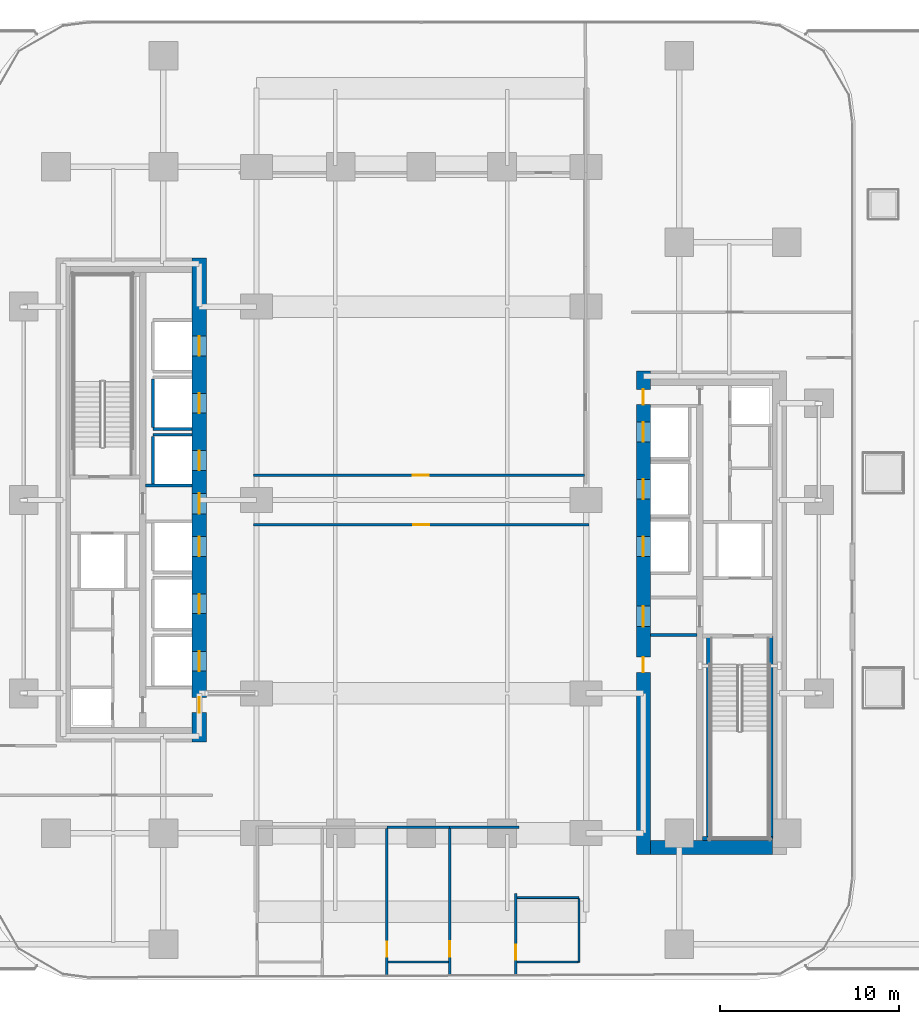
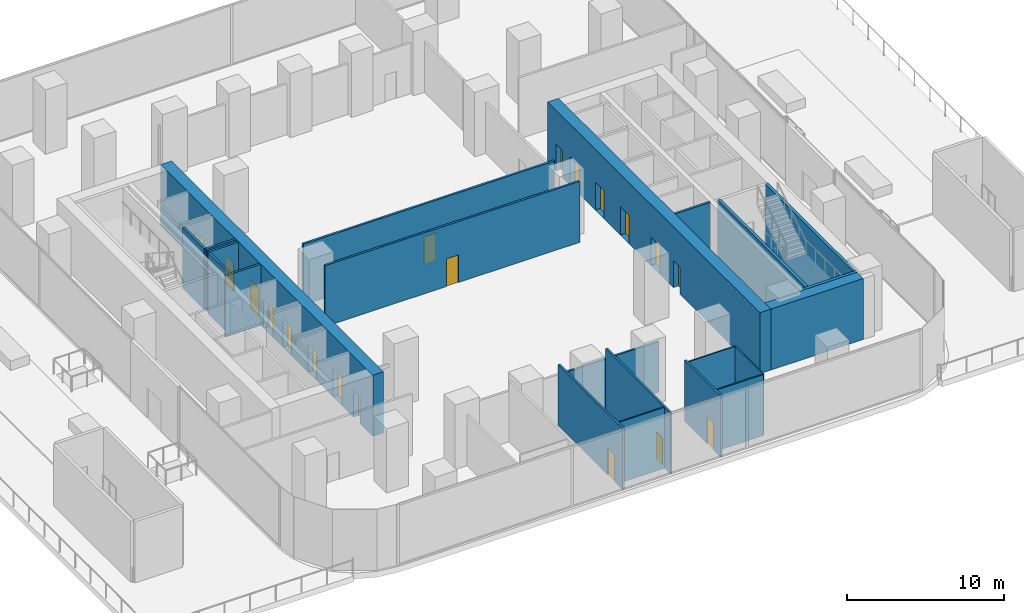
# One storey, part 7 of 21: 23 walls, 19 doors, 19 openings.
"""IFC4 building model written with IfcOpenShell, lengths in metres."""

from ifc_helpers import new_model, si_unit, direction, frame, frame_2d, origin, place, context, subcontext, project, spatial, rectangle, extrude, material, layer, layer_set, type_object, element, fill, save


model = new_model("IFC4")

# Units and contexts
model_context = context("Model", 3, precision=1e-05, world=origin(), true_north=direction((0.0, 1.0)))
body_context = subcontext(model_context, "Body", "Model", "MODEL_VIEW")
ifc_project = project(units=[si_unit("LENGTHUNIT", "METRE"), si_unit("AREAUNIT", "SQUARE_METRE"), si_unit("VOLUMEUNIT", "CUBIC_METRE"), si_unit("PLANEANGLEUNIT", "RADIAN"), si_unit("MASSUNIT", "GRAM", prefix="KILO")], contexts=[model_context])

# Site, building, storey
site_placement = place(None, origin())
site = spatial("IfcSite", under=ifc_project, at=site_placement, CompositionType="ELEMENT")
building_placement = place(site_placement, origin())
building = spatial("IfcBuilding", under=site, at=building_placement, Name="Khairoan Windgate Tower", CompositionType="ELEMENT")
storey_placement = place(building_placement, frame((0.0, 0.0, 21.0)))
storey = spatial("IfcBuildingStorey", under=building, at=storey_placement, Name="L05", CompositionType="ELEMENT", Elevation=21.0)

# Walls
ifc_material_1 = material(Name="Moisture-Resistant Gypsum Partition", Category="gypsum")
ifc_layer_1 = layer(ifc_material_1, 0.10009765625, Name="Moisture-Resistant Gypsum Partition")
ifc_layer_set_1 = layer_set([ifc_layer_1], Name="Moisture-Resistant Gypsum Partition")
wall_type_1 = type_object("IfcWallType", Name="Bathroom Wet-Area Partition Wall", PredefinedType="PARTITIONING", material=ifc_layer_set_1)
wall_1_placement = place(storey_placement, frame((1.510009765625, -25.800048828125, 0.0), z_axis=(0.0, 0.0, 1.0), x_axis=(-1.0, 0.0, 0.0)))
element("IfcWall", 1, at=wall_1_placement, inside=storey, type_object=wall_type_1, Name="L05 Wet Room Side Wall 033", PredefinedType="PARTITIONING", context=body_context, shape_type="SweptSolid", body=[
    extrude(rectangle(XDim=3.360107421875, YDim=0.10009765625, at=frame_2d((1.68017578125, 0.0))), origin(), (0.0, 0.0, 1.0), 4.739990234375),
])
wall_2_placement = place(storey_placement, frame((5.35009765625, -22.199951171875, 0.0), z_axis=(0.0, 0.0, 1.0), x_axis=(1.0, 0.0, 0.0)))
element("IfcWall", 2, at=wall_2_placement, inside=storey, type_object=wall_type_1, Name="L05 Wet Room Side Wall 034", PredefinedType="PARTITIONING", context=body_context, shape_type="SweptSolid", body=[
    extrude(rectangle(XDim=3.449951171875, YDim=0.10009765625, at=frame_2d((1.72509765625, 0.0))), origin(), (0.0, 0.0, 1.0), 4.739990234375),
])
wall_3_placement = place(storey_placement, frame((8.800048828125, -22.25, 0.0), z_axis=(0.0, 0.0, 1.0), x_axis=(0.0, -1.0, 0.0)))
element("IfcWall", 3, at=wall_3_placement, inside=storey, type_object=wall_type_1, Name="L05 Wet Room Side Wall 035", PredefinedType="PARTITIONING", context=body_context, shape_type="SweptSolid", body=[
    extrude(rectangle(XDim=3.550048828125, YDim=0.10009765625, at=frame_2d((1.77490234375, 0.0))), origin(), (0.0, 0.0, 1.0), 4.739990234375),
])
wall_4_placement = place(storey_placement, frame((8.75, -25.800048828125, 0.0), z_axis=(0.0, 0.0, 1.0), x_axis=(-1.0, 0.0, 0.0)))
element("IfcWall", 4, at=wall_4_placement, inside=storey, type_object=wall_type_1, Name="L05 Wet Room Side Wall 036", PredefinedType="PARTITIONING", context=body_context, shape_type="SweptSolid", body=[
    extrude(rectangle(XDim=3.39990234375, YDim=0.10009765625, at=frame_2d((1.699951171875, 0.0))), origin(), (0.0, 0.0, 1.0), 4.739990234375),
])
ifc_material_2 = material(Name="Concrete C40/50", Category="concrete")
ifc_layer_2 = layer(ifc_material_2, 0.159912109375, Name="Concrete C40/50")
ifc_layer_set_2 = layer_set([ifc_layer_2], Name="Concrete C40/50")
wall_type_2 = type_object("IfcWallType", Name="Core and Hoistway Enclosure Wall", PredefinedType="STANDARD", material=ifc_layer_set_2)
wall_5_placement = place(storey_placement, frame((-14.989990234375, 3.9599609375, 0.0), z_axis=(0.0, 0.0, 1.0), x_axis=(1.0, 0.0, 0.0)))
element("IfcWall", 5, at=wall_5_placement, inside=storey, type_object=wall_type_2, Name="L05 Lift PL2 Hoistway Divider S", PredefinedType="STANDARD", context=body_context, shape_type="SweptSolid", body=[
    extrude(rectangle(XDim=2.18994140625, YDim=0.159912109375, at=frame_2d((1.094970703125, 0.0))), origin(), (0.0, 0.0, 1.0), 4.739990234375),
])
wall_6_placement = place(storey_placement, frame((-14.989990234375, 4.050048828125, 0.0), z_axis=(0.0, 0.0, 1.0), x_axis=(0.0, 1.0, 0.0)))
element("IfcWall", 6, at=wall_6_placement, inside=storey, type_object=wall_type_2, Name="L05 Lift PL2 Hoistway Back Wall", PredefinedType="STANDARD", context=body_context, shape_type="SweptSolid", body=[
    extrude(rectangle(XDim=2.699951171875, YDim=0.159912109375, at=frame_2d((1.35009765625, 0.0))), origin(), (0.0, 0.0, 1.0), 4.739990234375),
])
wall_7_placement = place(storey_placement, frame((-14.989990234375, 3.639892578125, 0.0), z_axis=(0.0, 0.0, 1.0), x_axis=(1.0, 0.0, 0.0)))
element("IfcWall", 7, at=wall_7_placement, inside=storey, type_object=wall_type_2, Name="L05 Lift PL3 Hoistway Divider N", PredefinedType="STANDARD", context=body_context, shape_type="SweptSolid", body=[
    extrude(rectangle(XDim=2.18994140625, YDim=0.159912109375, at=frame_2d((1.094970703125, 0.0))), origin(), (0.0, 0.0, 1.0), 4.739990234375),
])
wall_8_placement = place(storey_placement, frame((-14.989990234375, 0.85009765625, 0.0), z_axis=(0.0, 0.0, 1.0), x_axis=(0.0, 1.0, 0.0)))
element("IfcWall", 8, at=wall_8_placement, inside=storey, type_object=wall_type_2, Name="L05 Lift PL3 Hoistway Back Wall", PredefinedType="STANDARD", context=body_context, shape_type="SweptSolid", body=[
    extrude(rectangle(XDim=2.699951171875, YDim=0.159912109375, at=frame_2d((1.35009765625, 0.0))), origin(), (0.0, 0.0, 1.0), 4.739990234375),
])
for number, where, z_axis, x_axis, name in (
    (9, (-15.39990234375, 0.800048828125, 0.0), (0.0, 0.0, 1.0), (1.0, 0.0, 0.0), "L05 Core Shaft Wall SW-WV1-L05"),
    (10, (12.800048828125, -7.5400390625, 0.0), (0.0, 0.0, 1.0), (1.0, 0.0, 0.0), "L05 Core Shaft Wall SW-EV2-L05"),
):
    element("IfcWall", number, at=place(storey_placement, frame(where, z_axis=z_axis, x_axis=x_axis)), inside=storey, type_object=wall_type_2, Name=name, PredefinedType="STANDARD", context=body_context, shape_type="SweptSolid", body=[
        extrude(rectangle(XDim=2.599853515625, YDim=0.159912109375, at=frame_2d((1.2998046875, 0.0))), origin(), (0.0, 0.0, 1.0), 4.739990234375),
    ])
ifc_material_3 = material(Name="Acoustic Fire-Rated Gypsum Partition", Category="gypsum")
ifc_layer_3 = layer(ifc_material_3, 0.139892578125, Name="Acoustic Fire-Rated Gypsum Partition")
ifc_layer_set_3 = layer_set([ifc_layer_3], Name="Acoustic Fire-Rated Gypsum Partition")
wall_type_3 = type_object("IfcWallType", Name="Inter-Tenancy Compartment Wall", PredefinedType="PARTITIONING", material=ifc_layer_set_3)
wall_9_placement = place(storey_placement, frame((-1.919921875, -18.280029296875, 0.0), z_axis=(0.0, 0.0, 1.0), x_axis=(1.0, 0.0, 0.0)))
element("IfcWall", 11, at=wall_9_placement, inside=storey, type_object=wall_type_3, Name="L05 Interior Partition 024", PredefinedType="PARTITIONING", context=body_context, shape_type="SweptSolid", body=[
    extrude(rectangle(XDim=3.5, YDim=0.139892578125, at=frame_2d((1.75, 0.0))), origin(), (0.0, 0.0, 1.0), 3.93994140625),
])
wall_10_placement = place(storey_placement, frame((1.580078125, -18.280029296875, 0.0), z_axis=(0.0, 0.0, 1.0), x_axis=(1.0, 0.0, 0.0)))
element("IfcWall", 12, at=wall_10_placement, inside=storey, type_object=wall_type_3, Name="L05 Interior Partition 025", PredefinedType="PARTITIONING", context=body_context, shape_type="SweptSolid", body=[
    extrude(rectangle(XDim=3.85986328125, YDim=0.139892578125, at=frame_2d((1.929931640625, 0.0))), origin(), (0.0, 0.0, 1.0), 3.93994140625),
])

# Wall, opening, door
wall_11_placement = place(storey_placement, frame((-1.919921875, -26.57421875, 0.0), z_axis=(0.0, 0.0, 1.0), x_axis=(0.0, 1.0, 0.0)))
wall_11 = element("IfcWall", 13, at=wall_11_placement, inside=storey, type_object=wall_type_3, Name="L05 Interior Partition 027", PredefinedType="PARTITIONING", context=body_context, shape_type="SweptSolid", body=[
    extrude(rectangle(XDim=8.22412109375, YDim=0.139892578125, at=frame_2d((4.112060546875, 0.0))), origin(), (0.0, 0.0, 1.0), 4.739990234375),
])
opening_1_placement = place(wall_11_placement, frame((1.065185546875, 0.0, 0.0)))
opening_1 = element("IfcOpeningElement", 14, at=opening_1_placement, cuts=wall_11, Name="Opening FD-SRV", PredefinedType="OPENING", context=body_context, shape_type="SweptSolid", body=[
    extrude(rectangle(XDim=0.85009765625, YDim=2.10009765625, at=frame_2d((0.425048828125, 1.050048828125))), frame((0.0, 0.079833984375, 0.0), z_axis=(0.0, -1.0, 0.0), x_axis=(1.0, 0.0, 0.0)), (0.0, 0.0, 1.0), 0.159912109375),
])
ifc_material_4 = material(Name="Steel S355", Category="steel")
door_type_1 = type_object("IfcDoorType", Name="Core Service and Riser Fire Door FD-SRV 850x2100", OperationType="NOTDEFINED", PredefinedType="DOOR", material=ifc_material_4)
door_1_placement = place(opening_1_placement, origin())
door_1 = element("IfcDoor", 15, at=door_1_placement, inside=storey, type_object=door_type_1, Name="L05 L05-42-L05-43 Door", OperationType="SINGLE_SWING_LEFT", OverallHeight=2.10009765625, OverallWidth=0.85009765625, PredefinedType="DOOR", context=body_context, shape_type="SweptSolid", body=[
    extrude(rectangle(XDim=0.85009765625, YDim=2.10009765625, at=frame_2d((0.425048828125, 1.050048828125))), frame((0.0, 0.02490234375, 0.0), z_axis=(0.0, -1.0, 0.0), x_axis=(1.0, 0.0, 0.0)), (0.0, 0.0, 1.0), 0.050048828125),
])
fill(opening_1, door_1)

wall_12_placement = place(storey_placement, frame((1.580078125, -26.55712890625, 0.0), z_axis=(0.0, 0.0, 1.0), x_axis=(0.0, 1.0, 0.0)))
wall_12 = element("IfcWall", 16, at=wall_12_placement, inside=storey, type_object=wall_type_3, Name="L05 Interior Partition 028", PredefinedType="PARTITIONING", context=body_context, shape_type="SweptSolid", body=[
    extrude(rectangle(XDim=8.20703125, YDim=0.139892578125, at=frame_2d((4.103515625, 0.0))), origin(), (0.0, 0.0, 1.0), 4.739990234375),
])
opening_2_placement = place(wall_12_placement, frame((1.0634765625, 0.0, 0.0)))
opening_2 = element("IfcOpeningElement", 17, at=opening_2_placement, cuts=wall_12, Name="Opening FD-SRV", PredefinedType="OPENING", context=body_context, shape_type="SweptSolid", body=[
    extrude(rectangle(XDim=0.85009765625, YDim=2.10009765625, at=frame_2d((0.425048828125, 1.050048828125))), frame((0.0, 0.079833984375, 0.0), z_axis=(0.0, -1.0, 0.0), x_axis=(1.0, 0.0, 0.0)), (0.0, 0.0, 1.0), 0.159912109375),
])
door_2_placement = place(opening_2_placement, origin())
door_2 = element("IfcDoor", 18, at=door_2_placement, inside=storey, type_object=door_type_1, Name="L05 L05-43-L05-44 Door", OperationType="SINGLE_SWING_RIGHT", OverallHeight=2.10009765625, OverallWidth=0.85009765625, PredefinedType="DOOR", context=body_context, shape_type="SweptSolid", body=[
    extrude(rectangle(XDim=0.85009765625, YDim=2.10009765625, at=frame_2d((0.425048828125, 1.050048828125))), frame((0.0, 0.02490234375, 0.0), z_axis=(0.0, -1.0, 0.0), x_axis=(1.0, 0.0, 0.0)), (0.0, 0.0, 1.0), 0.050048828125),
])
fill(opening_2, door_2)

wall_13_placement = place(storey_placement, frame((5.280029296875, -26.539306640625, 0.0), z_axis=(0.0, 0.0, 1.0), x_axis=(0.0, 1.0, 0.0)))
wall_13 = element("IfcWall", 19, at=wall_13_placement, inside=storey, type_object=wall_type_3, Name="L05 Interior Partition 029", PredefinedType="PARTITIONING", context=body_context, shape_type="SweptSolid", body=[
    extrude(rectangle(XDim=4.579345703125, YDim=0.139892578125, at=frame_2d((2.28955078125, 0.0))), origin(), (0.0, 0.0, 1.0), 4.739990234375),
])
opening_3_placement = place(wall_13_placement, frame((0.861328125, 0.0, 0.0)))
opening_3 = element("IfcOpeningElement", 20, at=opening_3_placement, cuts=wall_13, Name="Opening FD-SRV", PredefinedType="OPENING", context=body_context, shape_type="SweptSolid", body=[
    extrude(rectangle(XDim=0.85009765625, YDim=2.10009765625, at=frame_2d((0.425048828125, 1.050048828125))), frame((0.0, 0.079833984375, 0.0), z_axis=(0.0, -1.0, 0.0), x_axis=(1.0, 0.0, 0.0)), (0.0, 0.0, 1.0), 0.159912109375),
])
door_3_placement = place(opening_3_placement, origin())
door_3 = element("IfcDoor", 21, at=door_3_placement, inside=storey, type_object=door_type_1, Name="L05 L05-44-L05-45 Door", OperationType="SINGLE_SWING_LEFT", OverallHeight=2.10009765625, OverallWidth=0.85009765625, PredefinedType="DOOR", context=body_context, shape_type="SweptSolid", body=[
    extrude(rectangle(XDim=0.85009765625, YDim=2.10009765625, at=frame_2d((0.425048828125, 1.050048828125))), frame((0.0, 0.02490234375, 0.0), z_axis=(0.0, -1.0, 0.0), x_axis=(1.0, 0.0, 0.0)), (0.0, 0.0, 1.0), 0.050048828125),
])
fill(opening_3, door_3)

ifc_material_5 = material(Name="Acoustic Fire-Rated Gypsum Partition", Category="gypsum")
ifc_layer_4 = layer(ifc_material_5, 0.14990234375, Name="Acoustic Fire-Rated Gypsum Partition")
ifc_layer_set_4 = layer_set([ifc_layer_4], Name="Acoustic Fire-Rated Gypsum Partition")
wall_type_4 = type_object("IfcWallType", Name="Rated Corridor Partition Wall", PredefinedType="PARTITIONING", material=ifc_layer_set_4)
wall_14_placement = place(storey_placement, frame((-9.360107421875, 1.3798828125, 0.0), z_axis=(0.0, 0.0, 1.0), x_axis=(1.0, 0.0, 0.0)))
wall_14 = element("IfcWall", 22, at=wall_14_placement, inside=storey, type_object=wall_type_4, Name="L05 Interior Partition 012", PredefinedType="PARTITIONING", context=body_context, shape_type="SweptSolid", body=[
    extrude(rectangle(XDim=18.470947265625, YDim=0.14990234375, at=frame_2d((9.2353515625, 0.0))), origin(), (0.0, 0.0, 1.0), 4.739990234375),
])
opening_4_placement = place(wall_14_placement, frame((8.8857421875, 0.0, 0.0)))
opening_4 = element("IfcOpeningElement", 23, at=opening_4_placement, cuts=wall_14, Name="Opening FD-ENT", PredefinedType="OPENING", context=body_context, shape_type="SweptSolid", body=[
    extrude(rectangle(XDim=0.89990234375, YDim=2.14990234375, at=frame_2d((0.449951171875, 1.074951171875))), frame((0.0, 0.0849609375, 0.0), z_axis=(0.0, -1.0, 0.0), x_axis=(1.0, 0.0, 0.0)), (0.0, 0.0, 1.0), 0.169921875),
])
ifc_material_6 = material(Name="Timber Fire-Rated Core", Category="wood")
door_type_2 = type_object("IfcDoorType", Name="Unit and Office Fire Entrance Door FD-ENT 900x2150", OperationType="NOTDEFINED", PredefinedType="DOOR", material=ifc_material_6)
door_4_placement = place(opening_4_placement, origin())
door_4 = element("IfcDoor", 24, at=door_4_placement, inside=storey, type_object=door_type_2, Name="L05 L05-31-L05-38 Door", OperationType="SINGLE_SWING_RIGHT", OverallHeight=2.14990234375, OverallWidth=0.89990234375, PredefinedType="DOOR", context=body_context, shape_type="SweptSolid", body=[
    extrude(rectangle(XDim=0.89990234375, YDim=2.14990234375, at=frame_2d((0.449951171875, 1.074951171875))), frame((0.0, 0.02490234375, 0.0), z_axis=(0.0, -1.0, 0.0), x_axis=(1.0, 0.0, 0.0)), (0.0, 0.0, 1.0), 0.050048828125),
])
fill(opening_4, door_4)

wall_15_placement = place(storey_placement, frame((-9.360107421875, -1.3798828125, 0.0), z_axis=(0.0, 0.0, 1.0), x_axis=(1.0, 0.0, 0.0)))
wall_15 = element("IfcWall", 25, at=wall_15_placement, inside=storey, type_object=wall_type_4, Name="L05 Interior Partition 013", PredefinedType="PARTITIONING", context=body_context, shape_type="SweptSolid", body=[
    extrude(rectangle(XDim=18.72021484375, YDim=0.14990234375, at=frame_2d((9.360107421875, 0.0))), origin(), (0.0, 0.0, 1.0), 4.739990234375),
])
opening_5_placement = place(wall_15_placement, frame((8.909912109375, 0.0, 0.0)))
opening_5 = element("IfcOpeningElement", 26, at=opening_5_placement, cuts=wall_15, Name="Opening FD-ENT", PredefinedType="OPENING", context=body_context, shape_type="SweptSolid", body=[
    extrude(rectangle(XDim=0.89990234375, YDim=2.14990234375, at=frame_2d((0.449951171875, 1.074951171875))), frame((0.0, 0.0849609375, 0.0), z_axis=(0.0, -1.0, 0.0), x_axis=(1.0, 0.0, 0.0)), (0.0, 0.0, 1.0), 0.169921875),
])
door_5_placement = place(opening_5_placement, origin())
door_5 = element("IfcDoor", 27, at=door_5_placement, inside=storey, type_object=door_type_2, Name="L05 L05-31-L05-40 Door", OperationType="SINGLE_SWING_LEFT", OverallHeight=2.14990234375, OverallWidth=0.89990234375, PredefinedType="DOOR", context=body_context, shape_type="SweptSolid", body=[
    extrude(rectangle(XDim=0.89990234375, YDim=2.14990234375, at=frame_2d((0.449951171875, 1.074951171875))), frame((0.0, 0.02490234375, 0.0), z_axis=(0.0, -1.0, 0.0), x_axis=(1.0, 0.0, 0.0)), (0.0, 0.0, 1.0), 0.050048828125),
])
fill(opening_5, door_5)

# Wall, openings, doors
ifc_material_7 = material(Name="Concrete C70/85", Category="concrete")
ifc_layer_5 = layer(ifc_material_7, 0.800048828125, Name="Concrete C70/85")
ifc_layer_set_5 = layer_set([ifc_layer_5], Name="Concrete C70/85")
wall_type_5 = type_object("IfcWallType", Name="Shear Wall CW-E1 800mm", PredefinedType="SHEAR", material=ifc_layer_set_5)
wall_16_placement = place(storey_placement, frame((12.39990234375, -19.800048828125, 0.0), z_axis=(0.0, 0.0, 1.0), x_axis=(0.0, 1.0, 0.0)))
wall_16 = element("IfcWall", 28, at=wall_16_placement, inside=storey, type_object=wall_type_5, Name="E Core West Shear Wall L05", PredefinedType="SHEAR", context=body_context, shape_type="SweptSolid", body=[
    extrude(rectangle(XDim=27.0, YDim=0.800048828125, at=frame_2d((13.5, 0.0))), origin(), (0.0, 0.0, 1.0), 4.739990234375),
])
opening_6_placement = place(wall_16_placement, frame((23.050048828125, 0.0, 0.0)))
opening_6 = element("IfcOpeningElement", 29, at=opening_6_placement, cuts=wall_16, Name="Opening LD-PL", PredefinedType="OPENING", context=body_context, shape_type="SweptSolid", body=[
    extrude(rectangle(XDim=1.10009765625, YDim=2.199951171875, at=frame_2d((0.550048828125, 1.10009765625))), frame((0.0, 0.409912109375, 0.0), z_axis=(0.0, -1.0, 0.0), x_axis=(1.0, 0.0, 0.0)), (0.0, 0.0, 1.0), 0.820068359375),
])
opening_7_placement = place(wall_16_placement, frame((19.85009765625, 0.0, 0.0)))
opening_7 = element("IfcOpeningElement", 30, at=opening_7_placement, cuts=wall_16, Name="Opening LD-PL", PredefinedType="OPENING", context=body_context, shape_type="SweptSolid", body=[
    extrude(rectangle(XDim=1.10009765625, YDim=2.199951171875, at=frame_2d((0.550048828125, 1.10009765625))), frame((0.0, 0.409912109375, 0.0), z_axis=(0.0, -1.0, 0.0), x_axis=(1.0, 0.0, 0.0)), (0.0, 0.0, 1.0), 0.820068359375),
])
opening_8_placement = place(wall_16_placement, frame((16.64990234375, 0.0, 0.0)))
opening_8 = element("IfcOpeningElement", 31, at=opening_8_placement, cuts=wall_16, Name="Opening LD-PL", PredefinedType="OPENING", context=body_context, shape_type="SweptSolid", body=[
    extrude(rectangle(XDim=1.10009765625, YDim=2.199951171875, at=frame_2d((0.550048828125, 1.10009765625))), frame((0.0, 0.409912109375, 0.0), z_axis=(0.0, -1.0, 0.0), x_axis=(1.0, 0.0, 0.0)), (0.0, 0.0, 1.0), 0.820068359375),
])
opening_9_placement = place(wall_16_placement, frame((10.175048828125, 0.0, 0.0)))
opening_9 = element("IfcOpeningElement", 32, at=opening_9_placement, cuts=wall_16, Name="Opening FD-SRV", PredefinedType="OPENING", context=body_context, shape_type="SweptSolid", body=[
    extrude(rectangle(XDim=0.85009765625, YDim=2.10009765625, at=frame_2d((0.425048828125, 1.050048828125))), frame((0.0, 0.409912109375, 0.0), z_axis=(0.0, -1.0, 0.0), x_axis=(1.0, 0.0, 0.0)), (0.0, 0.0, 1.0), 0.820068359375),
])
opening_10_placement = place(wall_16_placement, frame((12.72509765625, 0.0, 0.0)))
opening_10 = element("IfcOpeningElement", 33, at=opening_10_placement, cuts=wall_16, Name="Opening FD-FFL", PredefinedType="OPENING", context=body_context, shape_type="SweptSolid", body=[
    extrude(rectangle(XDim=1.14990234375, YDim=2.199951171875, at=frame_2d((0.574951171875, 1.10009765625))), frame((0.0, 0.409912109375, 0.0), z_axis=(0.0, -1.0, 0.0), x_axis=(1.0, 0.0, 0.0)), (0.0, 0.0, 1.0), 0.820068359375),
])
opening_11_placement = place(wall_16_placement, frame((25.125, 0.0, 0.0)))
opening_11 = element("IfcOpeningElement", 34, at=opening_11_placement, cuts=wall_16, Name="Opening FD-SRV", PredefinedType="OPENING", context=body_context, shape_type="SweptSolid", body=[
    extrude(rectangle(XDim=0.85009765625, YDim=2.10009765625, at=frame_2d((0.425048828125, 1.050048828125))), frame((0.0, 0.409912109375, 0.0), z_axis=(0.0, -1.0, 0.0), x_axis=(1.0, 0.0, 0.0)), (0.0, 0.0, 1.0), 0.820068359375),
])
door_6_placement = place(opening_9_placement, origin())
door_6 = element("IfcDoor", 35, at=door_6_placement, inside=storey, type_object=door_type_1, Name="L05 East Core Service Room Door 1", OperationType="SINGLE_SWING_RIGHT", OverallHeight=2.10009765625, OverallWidth=0.85009765625, PredefinedType="DOOR", context=body_context, shape_type="SweptSolid", body=[
    extrude(rectangle(XDim=0.85009765625, YDim=2.10009765625, at=frame_2d((0.425048828125, 1.050048828125))), frame((0.0, 0.02490234375, 0.0), z_axis=(0.0, -1.0, 0.0), x_axis=(1.0, 0.0, 0.0)), (0.0, 0.0, 1.0), 0.050048828125),
])
fill(opening_9, door_6)
door_7_placement = place(opening_11_placement, origin())
door_7 = element("IfcDoor", 36, at=door_7_placement, inside=storey, type_object=door_type_1, Name="L05 East Core Service Vestibule Outer Door", OperationType="SINGLE_SWING_LEFT", OverallHeight=2.10009765625, OverallWidth=0.85009765625, PredefinedType="DOOR", context=body_context, shape_type="SweptSolid", body=[
    extrude(rectangle(XDim=0.85009765625, YDim=2.10009765625, at=frame_2d((0.425048828125, 1.050048828125))), frame((0.0, 0.02490234375, 0.0), z_axis=(0.0, -1.0, 0.0), x_axis=(1.0, 0.0, 0.0)), (0.0, 0.0, 1.0), 0.050048828125),
])
fill(opening_11, door_7)
ifc_material_8 = material(Name="Steel S355", Category="steel")
door_type_3 = type_object("IfcDoorType", Name="Firefighting Lobby Fire Door FD-FFL 1150x2200", OperationType="NOTDEFINED", PredefinedType="DOOR", material=ifc_material_8)
door_8_placement = place(opening_10_placement, origin())
door_8 = element("IfcDoor", 37, at=door_8_placement, inside=storey, type_object=door_type_3, Name="L05 East Core Vestibule Entry Door", OperationType="SINGLE_SWING_LEFT", OverallHeight=2.199951171875, OverallWidth=1.14990234375, PredefinedType="DOOR", context=body_context, shape_type="SweptSolid", body=[
    extrude(rectangle(XDim=1.14990234375, YDim=2.199951171875, at=frame_2d((0.574951171875, 1.10009765625))), frame((0.0, 0.02490234375, 0.0), z_axis=(0.0, -1.0, 0.0), x_axis=(1.0, 0.0, 0.0)), (0.0, 0.0, 1.0), 0.050048828125),
])
fill(opening_10, door_8)
ifc_material_9 = material(Name="Anodised Bronze Aluminium 6063-T6", Category="aluminium")
door_type_4 = type_object("IfcDoorType", Name="Passenger Lift Sliding Landing Door LD-PL 1100x2200", OperationType="DOUBLE_DOOR_SLIDING", PredefinedType="DOOR", material=ifc_material_9)
door_9_placement = place(opening_6_placement, origin())
door_9 = element("IfcDoor", 38, at=door_9_placement, inside=storey, type_object=door_type_4, Name="L05 Lift PL7 Sliding Landing Door", OperationType="DOUBLE_DOOR_SLIDING", OverallHeight=2.199951171875, OverallWidth=1.10009765625, PredefinedType="DOOR", context=body_context, shape_type="SweptSolid", body=[
    extrude(rectangle(XDim=1.10009765625, YDim=2.199951171875, at=frame_2d((0.550048828125, 1.10009765625))), frame((0.0, 0.02490234375, 0.0), z_axis=(0.0, -1.0, 0.0), x_axis=(1.0, 0.0, 0.0)), (0.0, 0.0, 1.0), 0.050048828125),
])
fill(opening_6, door_9)
door_10_placement = place(opening_7_placement, origin())
door_10 = element("IfcDoor", 39, at=door_10_placement, inside=storey, type_object=door_type_4, Name="L05 Lift PL8 Sliding Landing Door", OperationType="DOUBLE_DOOR_SLIDING", OverallHeight=2.199951171875, OverallWidth=1.10009765625, PredefinedType="DOOR", context=body_context, shape_type="SweptSolid", body=[
    extrude(rectangle(XDim=1.10009765625, YDim=2.199951171875, at=frame_2d((0.550048828125, 1.10009765625))), frame((0.0, 0.02490234375, 0.0), z_axis=(0.0, -1.0, 0.0), x_axis=(1.0, 0.0, 0.0)), (0.0, 0.0, 1.0), 0.050048828125),
])
fill(opening_7, door_10)
door_11_placement = place(opening_8_placement, origin())
door_11 = element("IfcDoor", 40, at=door_11_placement, inside=storey, type_object=door_type_4, Name="L05 Lift PL9 Sliding Landing Door", OperationType="DOUBLE_DOOR_SLIDING", OverallHeight=2.199951171875, OverallWidth=1.10009765625, PredefinedType="DOOR", context=body_context, shape_type="SweptSolid", body=[
    extrude(rectangle(XDim=1.10009765625, YDim=2.199951171875, at=frame_2d((0.550048828125, 1.10009765625))), frame((0.0, 0.02490234375, 0.0), z_axis=(0.0, -1.0, 0.0), x_axis=(1.0, 0.0, 0.0)), (0.0, 0.0, 1.0), 0.050048828125),
])
fill(opening_8, door_11)

# Wall
wall_17_placement = place(storey_placement, frame((12.800048828125, -19.39990234375, 0.0), z_axis=(0.0, 0.0, 1.0), x_axis=(1.0, 0.0, 0.0)))
element("IfcWall", 41, at=wall_17_placement, inside=storey, type_object=wall_type_5, Name="E Core South Shear Wall L05", PredefinedType="SHEAR", context=body_context, shape_type="SweptSolid", body=[
    extrude(rectangle(XDim=6.800048828125, YDim=0.800048828125, at=frame_2d((3.39990234375, 0.0))), origin(), (0.0, 0.0, 1.0), 4.739990234375),
])

# Wall, openings, doors
ifc_material_10 = material(Name="Concrete C70/85", Category="concrete")
ifc_layer_6 = layer(ifc_material_10, 0.800048828125, Name="Concrete C70/85")
ifc_layer_set_6 = layer_set([ifc_layer_6], Name="Concrete C70/85")
wall_type_6 = type_object("IfcWallType", Name="Shear Wall CW-W1 800mm", PredefinedType="SHEAR", material=ifc_layer_set_6)
wall_18_placement = place(storey_placement, frame((-12.39990234375, -13.5, 0.0), z_axis=(0.0, 0.0, 1.0), x_axis=(0.0, 1.0, 0.0)))
wall_18 = element("IfcWall", 42, at=wall_18_placement, inside=storey, type_object=wall_type_6, Name="W Core East Shear Wall L05", PredefinedType="SHEAR", context=body_context, shape_type="SweptSolid", body=[
    extrude(rectangle(XDim=27.0, YDim=0.800048828125, at=frame_2d((13.5, 0.0))), origin(), (0.0, 0.0, 1.0), 4.739990234375),
])
opening_12_placement = place(wall_18_placement, frame((21.550048828125, 0.0, 0.0)))
opening_12 = element("IfcOpeningElement", 43, at=opening_12_placement, cuts=wall_18, Name="Opening LD-PL", PredefinedType="OPENING", context=body_context, shape_type="SweptSolid", body=[
    extrude(rectangle(XDim=1.10009765625, YDim=2.199951171875, at=frame_2d((0.550048828125, 1.10009765625))), frame((0.0, 0.409912109375, 0.0), z_axis=(0.0, -1.0, 0.0), x_axis=(1.0, 0.0, 0.0)), (0.0, 0.0, 1.0), 0.820068359375),
])
opening_13_placement = place(wall_18_placement, frame((18.35009765625, 0.0, 0.0)))
opening_13 = element("IfcOpeningElement", 44, at=opening_13_placement, cuts=wall_18, Name="Opening LD-PL", PredefinedType="OPENING", context=body_context, shape_type="SweptSolid", body=[
    extrude(rectangle(XDim=1.10009765625, YDim=2.199951171875, at=frame_2d((0.550048828125, 1.10009765625))), frame((0.0, 0.409912109375, 0.0), z_axis=(0.0, -1.0, 0.0), x_axis=(1.0, 0.0, 0.0)), (0.0, 0.0, 1.0), 0.820068359375),
])
opening_14_placement = place(wall_18_placement, frame((15.14990234375, 0.0, 0.0)))
opening_14 = element("IfcOpeningElement", 45, at=opening_14_placement, cuts=wall_18, Name="Opening LD-PL", PredefinedType="OPENING", context=body_context, shape_type="SweptSolid", body=[
    extrude(rectangle(XDim=1.10009765625, YDim=2.199951171875, at=frame_2d((0.550048828125, 1.10009765625))), frame((0.0, 0.409912109375, 0.0), z_axis=(0.0, -1.0, 0.0), x_axis=(1.0, 0.0, 0.0)), (0.0, 0.0, 1.0), 0.820068359375),
])
opening_15_placement = place(wall_18_placement, frame((10.35009765625, 0.0, 0.0)))
opening_15 = element("IfcOpeningElement", 46, at=opening_15_placement, cuts=wall_18, Name="Opening LD-PL", PredefinedType="OPENING", context=body_context, shape_type="SweptSolid", body=[
    extrude(rectangle(XDim=1.10009765625, YDim=2.199951171875, at=frame_2d((0.550048828125, 1.10009765625))), frame((0.0, 0.409912109375, 0.0), z_axis=(0.0, -1.0, 0.0), x_axis=(1.0, 0.0, 0.0)), (0.0, 0.0, 1.0), 0.820068359375),
])
opening_16_placement = place(wall_18_placement, frame((7.14990234375, 0.0, 0.0)))
opening_16 = element("IfcOpeningElement", 47, at=opening_16_placement, cuts=wall_18, Name="Opening LD-PL", PredefinedType="OPENING", context=body_context, shape_type="SweptSolid", body=[
    extrude(rectangle(XDim=1.10009765625, YDim=2.199951171875, at=frame_2d((0.550048828125, 1.10009765625))), frame((0.0, 0.409912109375, 0.0), z_axis=(0.0, -1.0, 0.0), x_axis=(1.0, 0.0, 0.0)), (0.0, 0.0, 1.0), 0.820068359375),
])
opening_17_placement = place(wall_18_placement, frame((3.949951171875, 0.0, 0.0)))
opening_17 = element("IfcOpeningElement", 48, at=opening_17_placement, cuts=wall_18, Name="Opening LD-PL", PredefinedType="OPENING", context=body_context, shape_type="SweptSolid", body=[
    extrude(rectangle(XDim=1.10009765625, YDim=2.199951171875, at=frame_2d((0.550048828125, 1.10009765625))), frame((0.0, 0.409912109375, 0.0), z_axis=(0.0, -1.0, 0.0), x_axis=(1.0, 0.0, 0.0)), (0.0, 0.0, 1.0), 0.820068359375),
])
opening_18_placement = place(wall_18_placement, frame((12.72509765625, 0.0, 0.0)))
opening_18 = element("IfcOpeningElement", 49, at=opening_18_placement, cuts=wall_18, Name="Opening FD-FFL", PredefinedType="OPENING", context=body_context, shape_type="SweptSolid", body=[
    extrude(rectangle(XDim=1.14990234375, YDim=2.199951171875, at=frame_2d((0.574951171875, 1.10009765625))), frame((0.0, 0.409912109375, 0.0), z_axis=(0.0, -1.0, 0.0), x_axis=(1.0, 0.0, 0.0)), (0.0, 0.0, 1.0), 0.820068359375),
])
opening_19_placement = place(wall_18_placement, frame((1.625, 0.0, 0.0)))
opening_19 = element("IfcOpeningElement", 50, at=opening_19_placement, cuts=wall_18, Name="Opening FD-SRV", PredefinedType="OPENING", context=body_context, shape_type="SweptSolid", body=[
    extrude(rectangle(XDim=0.85009765625, YDim=2.10009765625, at=frame_2d((0.425048828125, 1.050048828125))), frame((0.0, 0.409912109375, 0.0), z_axis=(0.0, -1.0, 0.0), x_axis=(1.0, 0.0, 0.0)), (0.0, 0.0, 1.0), 0.820068359375),
])
door_12_placement = place(opening_19_placement, origin())
door_12 = element("IfcDoor", 51, at=door_12_placement, inside=storey, type_object=door_type_1, Name="L05 West Core Service Vestibule Outer Door", OperationType="SINGLE_SWING_LEFT", OverallHeight=2.10009765625, OverallWidth=0.85009765625, PredefinedType="DOOR", context=body_context, shape_type="SweptSolid", body=[
    extrude(rectangle(XDim=0.85009765625, YDim=2.10009765625, at=frame_2d((0.425048828125, 1.050048828125))), frame((0.0, 0.02490234375, 0.0), z_axis=(0.0, -1.0, 0.0), x_axis=(1.0, 0.0, 0.0)), (0.0, 0.0, 1.0), 0.050048828125),
])
fill(opening_19, door_12)
door_13_placement = place(opening_18_placement, origin())
door_13 = element("IfcDoor", 52, at=door_13_placement, inside=storey, type_object=door_type_3, Name="L05 West Core Vestibule Entry Door", OperationType="SINGLE_SWING_LEFT", OverallHeight=2.199951171875, OverallWidth=1.14990234375, PredefinedType="DOOR", context=body_context, shape_type="SweptSolid", body=[
    extrude(rectangle(XDim=1.14990234375, YDim=2.199951171875, at=frame_2d((0.574951171875, 1.10009765625))), frame((0.0, 0.02490234375, 0.0), z_axis=(0.0, -1.0, 0.0), x_axis=(1.0, 0.0, 0.0)), (0.0, 0.0, 1.0), 0.050048828125),
])
fill(opening_18, door_13)
door_14_placement = place(opening_12_placement, origin())
door_14 = element("IfcDoor", 53, at=door_14_placement, inside=storey, type_object=door_type_4, Name="L05 Lift PL1 Sliding Landing Door", OperationType="DOUBLE_DOOR_SLIDING", OverallHeight=2.199951171875, OverallWidth=1.10009765625, PredefinedType="DOOR", context=body_context, shape_type="SweptSolid", body=[
    extrude(rectangle(XDim=1.10009765625, YDim=2.199951171875, at=frame_2d((0.550048828125, 1.10009765625))), frame((0.0, 0.02490234375, 0.0), z_axis=(0.0, -1.0, 0.0), x_axis=(1.0, 0.0, 0.0)), (0.0, 0.0, 1.0), 0.050048828125),
])
fill(opening_12, door_14)
door_15_placement = place(opening_13_placement, origin())
door_15 = element("IfcDoor", 54, at=door_15_placement, inside=storey, type_object=door_type_4, Name="L05 Lift PL2 Sliding Landing Door", OperationType="DOUBLE_DOOR_SLIDING", OverallHeight=2.199951171875, OverallWidth=1.10009765625, PredefinedType="DOOR", context=body_context, shape_type="SweptSolid", body=[
    extrude(rectangle(XDim=1.10009765625, YDim=2.199951171875, at=frame_2d((0.550048828125, 1.10009765625))), frame((0.0, 0.02490234375, 0.0), z_axis=(0.0, -1.0, 0.0), x_axis=(1.0, 0.0, 0.0)), (0.0, 0.0, 1.0), 0.050048828125),
])
fill(opening_13, door_15)
door_16_placement = place(opening_14_placement, origin())
door_16 = element("IfcDoor", 55, at=door_16_placement, inside=storey, type_object=door_type_4, Name="L05 Lift PL3 Sliding Landing Door", OperationType="DOUBLE_DOOR_SLIDING", OverallHeight=2.199951171875, OverallWidth=1.10009765625, PredefinedType="DOOR", context=body_context, shape_type="SweptSolid", body=[
    extrude(rectangle(XDim=1.10009765625, YDim=2.199951171875, at=frame_2d((0.550048828125, 1.10009765625))), frame((0.0, 0.02490234375, 0.0), z_axis=(0.0, -1.0, 0.0), x_axis=(1.0, 0.0, 0.0)), (0.0, 0.0, 1.0), 0.050048828125),
])
fill(opening_14, door_16)
door_17_placement = place(opening_15_placement, origin())
door_17 = element("IfcDoor", 56, at=door_17_placement, inside=storey, type_object=door_type_4, Name="L05 Lift PL4 Sliding Landing Door", OperationType="DOUBLE_DOOR_SLIDING", OverallHeight=2.199951171875, OverallWidth=1.10009765625, PredefinedType="DOOR", context=body_context, shape_type="SweptSolid", body=[
    extrude(rectangle(XDim=1.10009765625, YDim=2.199951171875, at=frame_2d((0.550048828125, 1.10009765625))), frame((0.0, 0.02490234375, 0.0), z_axis=(0.0, -1.0, 0.0), x_axis=(1.0, 0.0, 0.0)), (0.0, 0.0, 1.0), 0.050048828125),
])
fill(opening_15, door_17)
door_18_placement = place(opening_16_placement, origin())
door_18 = element("IfcDoor", 57, at=door_18_placement, inside=storey, type_object=door_type_4, Name="L05 Lift PL5 Sliding Landing Door", OperationType="DOUBLE_DOOR_SLIDING", OverallHeight=2.199951171875, OverallWidth=1.10009765625, PredefinedType="DOOR", context=body_context, shape_type="SweptSolid", body=[
    extrude(rectangle(XDim=1.10009765625, YDim=2.199951171875, at=frame_2d((0.550048828125, 1.10009765625))), frame((0.0, 0.02490234375, 0.0), z_axis=(0.0, -1.0, 0.0), x_axis=(1.0, 0.0, 0.0)), (0.0, 0.0, 1.0), 0.050048828125),
])
fill(opening_16, door_18)
door_19_placement = place(opening_17_placement, origin())
door_19 = element("IfcDoor", 58, at=door_19_placement, inside=storey, type_object=door_type_4, Name="L05 Lift PL6 Sliding Landing Door", OperationType="DOUBLE_DOOR_SLIDING", OverallHeight=2.199951171875, OverallWidth=1.10009765625, PredefinedType="DOOR", context=body_context, shape_type="SweptSolid", body=[
    extrude(rectangle(XDim=1.10009765625, YDim=2.199951171875, at=frame_2d((0.550048828125, 1.10009765625))), frame((0.0, 0.02490234375, 0.0), z_axis=(0.0, -1.0, 0.0), x_axis=(1.0, 0.0, 0.0)), (0.0, 0.0, 1.0), 0.050048828125),
])
fill(opening_17, door_19)

# Walls
ifc_material_11 = material(Name="Concrete C50/60", Category="concrete")
ifc_layer_7 = layer(ifc_material_11, 0.219970703125, Name="Concrete C50/60")
ifc_layer_set_7 = layer_set([ifc_layer_7], Name="Concrete C50/60")
wall_type_7 = type_object("IfcWallType", Name="Shear Wall SW-ST 220mm", PredefinedType="SHEAR", material=ifc_layer_set_7)
for number, where, z_axis, x_axis, name in (
    (59, (16.0400390625, -18.889892578125, 0.0), (0.0, 0.0, 1.0), (0.0, 1.0, 0.0), "L05 Stair ST1 West Bearing Wall"),
    (60, (19.530029296875, -18.889892578125, 0.0), (0.0, 0.0, 1.0), (0.0, 1.0, 0.0), "L05 Stair ST1 East Bearing Wall"),
):
    element("IfcWall", number, at=place(storey_placement, frame(where, z_axis=z_axis, x_axis=x_axis)), inside=storey, type_object=wall_type_7, Name=name, PredefinedType="SHEAR", context=body_context, shape_type="SweptSolid", body=[
        extrude(rectangle(XDim=11.2998046875, YDim=0.219970703125, at=frame_2d((5.64990234375, 0.0))), origin(), (0.0, 0.0, 1.0), 4.739990234375),
    ])
wall_19_placement = place(storey_placement, frame((15.705078125, -18.889892578125, 0.0), z_axis=(0.0, 0.0, 1.0), x_axis=(1.0, 0.0, 0.0)))
element("IfcWall", 61, at=wall_19_placement, inside=storey, type_object=wall_type_7, Name="L05 Stair ST1 South Bearing Wall", PredefinedType="SHEAR", context=body_context, shape_type="SweptSolid", body=[
    extrude(rectangle(XDim=3.9150390625, YDim=0.219970703125, at=frame_2d((1.95751953125, 0.0))), origin(), (0.0, 0.0, 1.0), 4.739990234375),
])

save(model, "model.ifc")
